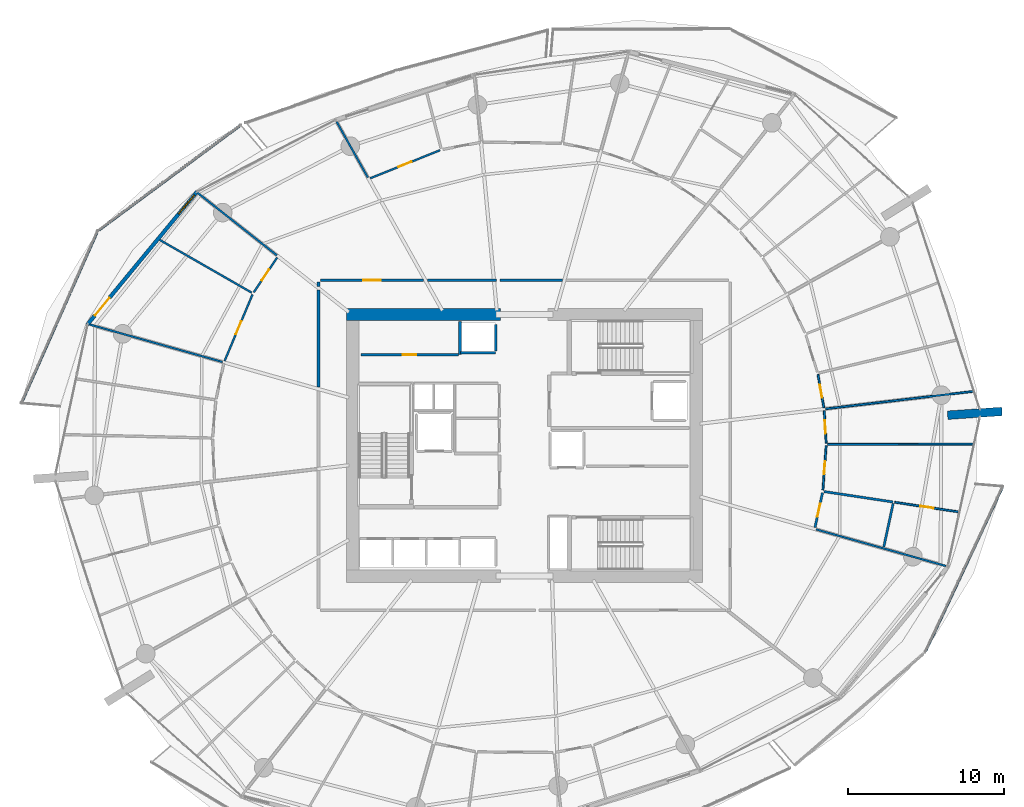
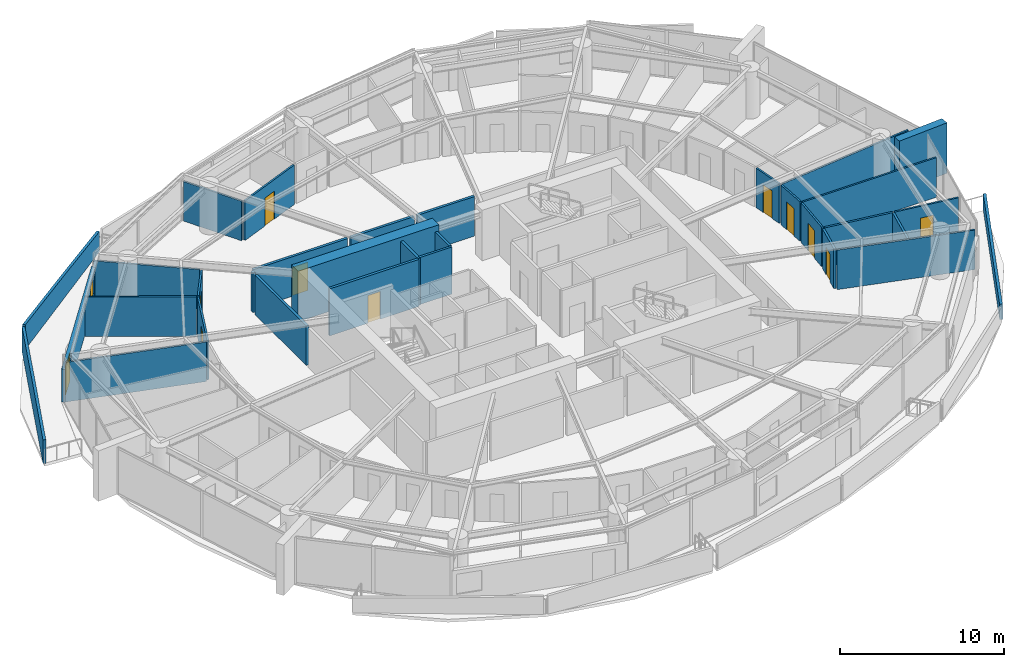
# One storey, part 14 of 23: 32 walls, 11 doors, 1 window, 12 openings.
"""IFC4 building model written with IfcOpenShell, lengths in metres."""

from ifc_helpers import new_model, si_unit, direction, frame, frame_2d, origin, place, context, subcontext, project, spatial, polyline, rectangle, outline, extrude, material, layer, layer_set, type_object, element, fill, save


model = new_model("IFC4")

# Units and contexts
model_context = context("Model", 3, precision=1e-05, world=origin(), true_north=direction((0.0, 1.0)))
body_context = subcontext(model_context, "Body", "Model", "MODEL_VIEW")
ifc_project = project(units=[si_unit("LENGTHUNIT", "METRE"), si_unit("AREAUNIT", "SQUARE_METRE"), si_unit("VOLUMEUNIT", "CUBIC_METRE"), si_unit("PLANEANGLEUNIT", "RADIAN"), si_unit("MASSUNIT", "GRAM", prefix="KILO")], contexts=[model_context])

# Site, building, storey
site_placement = place(None, origin())
site = spatial("IfcSite", under=ifc_project, at=site_placement, CompositionType="ELEMENT")
building_placement = place(site_placement, origin())
building = spatial("IfcBuilding", under=site, at=building_placement, Name="Kazma Halo Residences", CompositionType="ELEMENT")
storey_placement = place(building_placement, frame((0.0, 0.0, 105.14990234375)))
storey = spatial("IfcBuildingStorey", under=building, at=storey_placement, Name="L26", CompositionType="ELEMENT", Elevation=105.14990234375)

# Walls
ifc_material_1 = material(Name="White Concrete C50/60 Balustrade", Category="concrete")
ifc_layer_1 = layer(ifc_material_1, 0.179931640625)
ifc_layer_set_1 = layer_set([ifc_layer_1], Name="White Concrete C50/60 Balustrade")
wall_type_1 = type_object("IfcWallType", Name="WL-BAL-WAVE-180", PredefinedType="PARAPET", material=ifc_layer_set_1)
wall_1_placement = place(storey_placement, frame((30.2080078125, 62.575927734375, 0.0), z_axis=(0.0, 0.0, 1.0), x_axis=(-0.803659411402, -0.59508953147, 0.0)))
element("IfcWall", 1, at=wall_1_placement, inside=storey, type_object=wall_type_1, Name="L26 white wave balustrade wall NW.1", PredefinedType="PARAPET", context=body_context, shape_type="SweptSolid", body=[
    extrude(outline(polyline([(0.0, 0.0), (11.337890625, 0.0), (11.337890625, 1.83203125), (5.6689453125, 1.696044921875), (0.0, 1.4970703125), (0.0, 0.0)])), frame((0.0, 0.08984375, 0.0), z_axis=(0.0, -1.0, 0.0), x_axis=(1.0, 0.0, 0.0)), (0.0, 0.0, 1.0), 0.179931640625),
])
wall_2_placement = place(storey_placement, frame((20.951171875, 55.647705078125, 0.0), z_axis=(0.0, 0.0, 1.0), x_axis=(-0.404780674035, -0.914413804537, 0.0)))
element("IfcWall", 2, at=wall_2_placement, inside=storey, type_object=wall_type_1, Name="L26 white wave balustrade wall NW.2", PredefinedType="PARAPET", context=body_context, shape_type="SweptSolid", body=[
    extrude(outline(polyline([(0.0, 0.0), (11.9658203125, 0.0), (11.9658203125, 1.756103515625), (5.98291015625, 1.85302734375), (0.0, 1.83203125), (0.0, 0.0)])), frame((0.0, 0.08984375, 0.0), z_axis=(0.0, -1.0, 0.0), x_axis=(1.0, 0.0, 0.0)), (0.0, 0.0, 1.0), 0.179931640625),
])
wall_3_placement = place(storey_placement, frame((74.195068359375, 28.78759765625, 0.0), z_axis=(0.0, 0.0, 1.0), x_axis=(0.424200741769, 0.905568181134, 0.0)))
element("IfcWall", 3, at=wall_3_placement, inside=storey, type_object=wall_type_1, Name="L26 white wave balustrade wall SE.2", PredefinedType="PARAPET", context=body_context, shape_type="SweptSolid", body=[
    extrude(outline(polyline([(0.0, 0.0), (11.671875, 0.0), (11.671875, 1.22412109375), (5.8359375, 1.127197265625), (0.0, 1.148193359375), (0.0, 0.0)])), frame((0.0, 0.08984375, 0.0), z_axis=(0.0, -1.0, 0.0), x_axis=(1.0, 0.0, 0.0)), (0.0, 0.0, 1.0), 0.179931640625),
])
ifc_material_2 = material(Name="Pale Concrete C60/75", Category="concrete")
ifc_layer_2 = layer(ifc_material_2, 0.550048828125)
ifc_layer_set_2 = layer_set([ifc_layer_2], Name="Pale Concrete C60/75")
wall_type_2 = type_object("IfcWallType", Name="WL-BLADE-550", PredefinedType="SOLIDWALL", material=ifc_layer_set_2)
wall_4_placement = place(storey_placement, frame((75.606201171875, 43.930419921875, 0.0), z_axis=(0.0, 0.0, 1.0), x_axis=(0.997564163539, 0.069754853754, 0.0)))
element("IfcWall", 4, at=wall_4_placement, inside=storey, type_object=wall_type_2, Name="L26 pale concrete structural blade fin wall BW-04", PredefinedType="SOLIDWALL", context=body_context, shape_type="SweptSolid", body=[
    extrude(rectangle(XDim=3.5, YDim=0.550048828125, at=frame_2d((1.75, 0.0))), origin(), (0.0, 0.0, 1.0), 3.75),
])
ifc_material_3 = material(Name="Concrete C80/95", Category="concrete")
ifc_layer_3 = layer(ifc_material_3, 0.800048828125)
ifc_layer_set_3 = layer_set([ifc_layer_3], Name="Concrete C80/95")
wall_type_3 = type_object("IfcWallType", Name="WL-CORE-800", PredefinedType="SHEAR", material=ifc_layer_set_3)
wall_5_placement = place(storey_placement, frame((37.0, 50.39990234375, 0.0), z_axis=(0.0, 0.0, 1.0), x_axis=(1.0, 0.0, 0.0)))
element("IfcWall", 5, at=wall_5_placement, inside=storey, type_object=wall_type_3, Name="L26 central core shear wall NW", PredefinedType="SHEAR", context=body_context, shape_type="SweptSolid", body=[
    extrude(rectangle(XDim=9.89990234375, YDim=0.800048828125, at=frame_2d((4.949951171875, 0.0))), origin(), (0.0, 0.0, 1.0), 3.75),
])

# Wall, opening, door
ifc_material_4 = material(Name="Acoustic Twin-Stud Gypsum")
ifc_layer_4 = layer(ifc_material_4, 0.179931640625)
ifc_layer_set_4 = layer_set([ifc_layer_4], Name="Acoustic Twin-Stud Gypsum")
wall_type_4 = type_object("IfcWallType", Name="WL-DEM-180", PredefinedType="PARTITIONING", material=ifc_layer_set_4)
wall_6_placement = place(storey_placement, frame((41.943603515625, 52.60009765625, 0.0), z_axis=(0.0, 0.0, 1.0), x_axis=(-1.0, 0.0, 0.0)))
wall_6 = element("IfcWall", 6, at=wall_6_placement, inside=storey, type_object=wall_type_4, Name="L26 Apartment 1 entrance corridor wall", PredefinedType="PARTITIONING", context=body_context, shape_type="SweptSolid", body=[
    extrude(rectangle(XDim=6.62353515625, YDim=0.179931640625, at=frame_2d((3.311767578125, 0.0))), origin(), (0.0, 0.0, 1.0), 2.940185546875),
])
opening_1_placement = place(wall_6_placement, frame((2.76171875, 0.0, 0.0)))
opening_1 = element("IfcOpeningElement", 7, at=opening_1_placement, cuts=wall_6, Name="Opening DA-1100", PredefinedType="OPENING", context=body_context, shape_type="SweptSolid", body=[
    extrude(rectangle(XDim=1.10009765625, YDim=2.10009765625, at=frame_2d((0.550048828125, 1.050048828125))), frame((0.0, 0.099853515625, 0.0), z_axis=(0.0, -1.0, 0.0), x_axis=(1.0, 0.0, 0.0)), (0.0, 0.0, 1.0), 0.199951171875),
])
ifc_material_5 = material(Name="Acoustic Walnut Fire Leaf")
door_type_1 = type_object("IfcDoorType", Name="DR-FD60-1100", OperationType="NOTDEFINED", PredefinedType="DOOR", material=ifc_material_5)
door_1_placement = place(opening_1_placement, origin())
door_1 = element("IfcDoor", 8, at=door_1_placement, inside=storey, type_object=door_type_1, Name="L26 Apartment 1 entrance fire door", OperationType="SINGLE_SWING_RIGHT", OverallHeight=2.10009765625, OverallWidth=1.10009765625, PredefinedType="DOOR", context=body_context, shape_type="SweptSolid", body=[
    extrude(rectangle(XDim=1.10009765625, YDim=2.10009765625, at=frame_2d((0.550048828125, 1.050048828125))), frame((0.0, 0.02490234375, 0.0), z_axis=(0.0, -1.0, 0.0), x_axis=(1.0, 0.0, 0.0)), (0.0, 0.0, 1.0), 0.050048828125),
])
fill(opening_1, door_1)

# Walls
wall_7_placement = place(storey_placement, frame((35.199951171875, 52.47998046875, 0.0), z_axis=(0.0, 0.0, 1.0), x_axis=(0.0, -1.0, 0.0)))
element("IfcWall", 9, at=wall_7_placement, inside=storey, type_object=wall_type_4, Name="L26 Apartment 1 entrance corridor wall", PredefinedType="PARTITIONING", context=body_context, shape_type="SweptSolid", body=[
    extrude(rectangle(XDim=0.269287109375, YDim=0.179931640625, at=frame_2d((0.134765625, 0.0))), origin(), (0.0, 0.0, 1.0), 2.940185546875),
])
wall_8_placement = place(storey_placement, frame((50.869384765625, 52.60009765625, 0.0), z_axis=(0.0, 0.0, 1.0), x_axis=(-1.0, 0.0, 0.0)))
element("IfcWall", 10, at=wall_8_placement, inside=storey, type_object=wall_type_4, Name="L26 Apartment 1 inner wall 2", PredefinedType="PARTITIONING", context=body_context, shape_type="SweptSolid", body=[
    extrude(rectangle(XDim=4.00390625, YDim=0.179931640625, at=frame_2d((2.001953125, 0.0))), origin(), (0.0, 0.0, 1.0), 2.940185546875),
])
wall_9_placement = place(storey_placement, frame((46.62548828125, 52.60009765625, 0.0), z_axis=(0.0, 0.0, 1.0), x_axis=(-1.0, 0.0, 0.0)))
element("IfcWall", 11, at=wall_9_placement, inside=storey, type_object=wall_type_4, Name="L26 Apartment 1 inner wall 3", PredefinedType="PARTITIONING", context=body_context, shape_type="SweptSolid", body=[
    extrude(rectangle(XDim=4.44189453125, YDim=0.179931640625, at=frame_2d((2.220947265625, 0.0))), origin(), (0.0, 0.0, 1.0), 2.940185546875),
])
wall_10_placement = place(storey_placement, frame((35.199951171875, 51.970703125, 0.0), z_axis=(0.0, 0.0, 1.0), x_axis=(0.0, -1.0, 0.0)))
element("IfcWall", 12, at=wall_10_placement, inside=storey, type_object=wall_type_4, Name="L26 Apartment 1 inner wall 5", PredefinedType="PARTITIONING", context=body_context, shape_type="SweptSolid", body=[
    extrude(rectangle(XDim=6.24072265625, YDim=0.179931640625, at=frame_2d((3.120361328125, 0.0))), origin(), (0.0, 0.0, 1.0), 2.940185546875),
])

# Wall, openings, door, window
ifc_material_6 = material(Name="Insulated Pale-Metal Composite Wall")
ifc_layer_5 = layer(ifc_material_6, 0.239990234375)
ifc_layer_set_5 = layer_set([ifc_layer_5], Name="Insulated Pale-Metal Composite Wall")
wall_type_5 = type_object("IfcWallType", Name="WL-EXT-HOST-240", PredefinedType="SOLIDWALL", material=ifc_layer_set_5)
wall_11_placement = place(storey_placement, frame((27.406982421875, 58.2978515625, 0.0), z_axis=(0.0, 0.0, 1.0), x_axis=(-0.636704975, -0.771107498868, 0.0)))
wall_11 = element("IfcWall", 13, at=wall_11_placement, inside=storey, type_object=wall_type_5, Name="L26 exterior terrace-access wall B06", PredefinedType="SOLIDWALL", context=body_context, shape_type="SweptSolid", body=[
    extrude(rectangle(XDim=11.084228515625, YDim=0.239990234375, at=frame_2d((5.5419921875, 0.0))), origin(), (0.0, 0.0, 1.0), 2.4501953125),
])
opening_2_placement = place(wall_11_placement, frame((8.8642578125, 0.0, 0.0)))
opening_2 = element("IfcOpeningElement", 14, at=opening_2_placement, cuts=wall_11, Name="Opening DTR-1600", PredefinedType="OPENING", context=body_context, shape_type="SweptSolid", body=[
    extrude(rectangle(XDim=1.449951171875, YDim=2.14990234375, at=frame_2d((0.72509765625, 1.074951171875))), frame((0.0, 0.1298828125, 0.0), z_axis=(0.0, -1.0, 0.0), x_axis=(1.0, 0.0, 0.0)), (0.0, 0.0, 1.0), 0.260009765625),
])
opening_3_placement = place(wall_11_placement, frame((0.280029296875, 0.0, 0.64990234375)))
opening_3 = element("IfcOpeningElement", 15, at=opening_3_placement, cuts=wall_11, Name="Opening W-1800", PredefinedType="OPENING", context=body_context, shape_type="SweptSolid", body=[
    extrude(rectangle(XDim=1.60009765625, YDim=1.5, at=frame_2d((0.800048828125, 0.75))), frame((0.0, 0.1298828125, 0.0), z_axis=(0.0, -1.0, 0.0), x_axis=(1.0, 0.0, 0.0)), (0.0, 0.0, 1.0), 0.260009765625),
])
ifc_material_7 = material(Name="Aluminium AW-6063 T6 Double-Glazed Terrace Door", Category="aluminium")
door_type_2 = type_object("IfcDoorType", Name="DR-EXT-TERR-1600", OperationType="NOTDEFINED", PredefinedType="DOOR", material=ifc_material_7)
door_2_placement = place(opening_2_placement, origin())
door_2 = element("IfcDoor", 16, at=door_2_placement, inside=storey, type_object=door_type_2, Name="L26 B06 balcony terrace door", OperationType="DOUBLE_DOOR_SLIDING", OverallHeight=2.14990234375, OverallWidth=1.449951171875, PredefinedType="DOOR", context=body_context, shape_type="SweptSolid", body=[
    extrude(rectangle(XDim=1.449951171875, YDim=2.14990234375, at=frame_2d((0.72509765625, 1.074951171875))), frame((0.0, 0.02490234375, 0.0), z_axis=(0.0, -1.0, 0.0), x_axis=(1.0, 0.0, 0.0)), (0.0, 0.0, 1.0), 0.050048828125),
])
fill(opening_2, door_2)
ifc_material_8 = material(Name="Clear Triple-Silver Low-E Glass in Aluminium AW-6063 T6 Frame", Category="aluminium")
window_type = type_object("IfcWindowType", Name="WIN-RES-1800", PartitioningType="DOUBLE_PANEL_VERTICAL", PredefinedType="WINDOW", material=ifc_material_8)
window_placement = place(opening_3_placement, origin())
window = element("IfcWindow", 17, at=window_placement, inside=storey, type_object=window_type, Name="L26 B06 apartment window", OverallHeight=1.5, OverallWidth=1.60009765625, PartitioningType="SINGLE_PANEL", PredefinedType="WINDOW", context=body_context, shape_type="SweptSolid", body=[
    extrude(rectangle(XDim=1.60009765625, YDim=1.5, at=frame_2d((0.800048828125, 0.75))), frame((0.0, 0.030029296875, 0.0), z_axis=(0.0, -1.0, 0.0), x_axis=(1.0, 0.0, 0.0)), (0.0, 0.0, 1.0), 0.06005859375),
])
fill(opening_3, window)

# Walls
ifc_material_9 = material(Name="Fire-Rated Blockwork Masonry", Category="masonry")
ifc_layer_6 = layer(ifc_material_9, 0.199951171875)
ifc_layer_set_6 = layer_set([ifc_layer_6], Name="Fire-Rated Blockwork Masonry")
wall_type_6 = type_object("IfcWallType", Name="WL-FLB-200", PredefinedType="PARTITIONING", material=ifc_layer_set_6)
wall_12_placement = place(storey_placement, frame((46.580078125, 47.945068359375, 0.0), z_axis=(0.0, 0.0, 1.0), x_axis=(-1.0, 0.0, 0.0)))
element("IfcWall", 18, at=wall_12_placement, inside=storey, type_object=wall_type_6, Name="L26 lift shaft PX-01 front wall", PredefinedType="PARTITIONING", context=body_context, shape_type="SweptSolid", body=[
    extrude(rectangle(XDim=2.260009765625, YDim=0.159912109375, at=frame_2d((1.1298828125, 0.0))), origin(), (0.0, 0.0, 1.0), 3.5),
])
wall_13_placement = place(storey_placement, frame((46.580078125, 48.044921875, 0.0), z_axis=(0.0, 0.0, 1.0), x_axis=(0.0, 1.0, 0.0)))
element("IfcWall", 19, at=wall_13_placement, inside=storey, type_object=wall_type_6, Name="L26 lift shaft PX-01 side wall E", PredefinedType="PARTITIONING", context=body_context, shape_type="SweptSolid", body=[
    extrude(rectangle(XDim=1.7099609375, YDim=0.159912109375, at=frame_2d((0.85498046875, 0.0))), origin(), (0.0, 0.0, 1.0), 3.5),
])

# Wall, opening, door
wall_14_placement = place(storey_placement, frame((37.919921875, 47.820068359375, 0.0), z_axis=(0.0, 0.0, 1.0), x_axis=(1.0, 0.0, 0.0)))
wall_14 = element("IfcWall", 20, at=wall_14_placement, inside=storey, type_object=wall_type_6, Name="L26 core north reserve wall", PredefinedType="PARTITIONING", context=body_context, shape_type="SweptSolid", body=[
    extrude(rectangle(XDim=6.260009765625, YDim=0.179931640625, at=frame_2d((3.1298828125, 0.0))), origin(), (0.0, 0.0, 1.0), 3.5),
])
opening_4_placement = place(wall_14_placement, frame((2.705078125, 0.0, 0.0)))
opening_4 = element("IfcOpeningElement", 21, at=opening_4_placement, cuts=wall_14, Name="Opening DS-850", PredefinedType="OPENING", context=body_context, shape_type="SweptSolid", body=[
    extrude(rectangle(XDim=0.85009765625, YDim=2.06005859375, at=frame_2d((0.425048828125, 1.030029296875))), frame((0.0, 0.099853515625, 0.0), z_axis=(0.0, -1.0, 0.0), x_axis=(1.0, 0.0, 0.0)), (0.0, 0.0, 1.0), 0.199951171875),
])
ifc_material_10 = material(Name="Painted Steel Access Leaf", Category="steel")
door_type_3 = type_object("IfcDoorType", Name="DR-SVC-850", OperationType="NOTDEFINED", PredefinedType="DOOR", material=ifc_material_10)
door_3_placement = place(opening_4_placement, origin())
door_3 = element("IfcDoor", 22, at=door_3_placement, inside=storey, type_object=door_type_3, Name="L26 core north reserve door", OperationType="SINGLE_SWING_RIGHT", OverallHeight=2.06005859375, OverallWidth=0.85009765625, PredefinedType="DOOR", context=body_context, shape_type="SweptSolid", body=[
    extrude(rectangle(XDim=0.85009765625, YDim=2.06005859375, at=frame_2d((0.425048828125, 1.030029296875))), frame((0.0, 0.02490234375, 0.0), z_axis=(0.0, -1.0, 0.0), x_axis=(1.0, 0.0, 0.0)), (0.0, 0.0, 1.0), 0.050048828125),
])
fill(opening_4, door_3)

# Walls
wall_15_placement = place(storey_placement, frame((44.280029296875, 47.820068359375, 0.0), z_axis=(0.0, 0.0, 1.0), x_axis=(0.0, 1.0, 0.0)))
element("IfcWall", 23, at=wall_15_placement, inside=storey, type_object=wall_type_6, Name="L26 PX-01 hoistway west wall", PredefinedType="PARTITIONING", context=body_context, shape_type="SweptSolid", body=[
    extrude(rectangle(XDim=2.1298828125, YDim=0.179931640625, at=frame_2d((1.06494140625, 0.0))), origin(), (0.0, 0.0, 1.0), 3.5),
])
ifc_material_11 = material(Name="Gypsum Plasterboard Partition")
ifc_layer_7 = layer(ifc_material_11, 0.125)
ifc_layer_set_7 = layer_set([ifc_layer_7], Name="Gypsum Plasterboard Partition")
wall_type_7 = type_object("IfcWallType", Name="WL-PART-125", PredefinedType="PARTITIONING", material=ifc_layer_set_7)
wall_16_placement = place(storey_placement, frame((38.36962890625, 59.196044921875, 0.0), z_axis=(0.0, 0.0, 1.0), x_axis=(-0.488603368932, 0.87250601595, 0.0)))
element("IfcWall", 24, at=wall_16_placement, inside=storey, type_object=wall_type_7, Name="L26 Apartment 1 living radial partition 3", PredefinedType="PARTITIONING", context=body_context, shape_type="SweptSolid", body=[
    extrude(rectangle(XDim=4.11328125, YDim=0.125, at=frame_2d((2.056640625, 0.0))), origin(), (0.0, 0.0, 1.0), 2.940185546875),
])

# Wall, opening, door
wall_17_placement = place(storey_placement, frame((43.010009765625, 60.951904296875, 0.0), z_axis=(0.0, 0.0, 1.0), x_axis=(-0.9280140097, -0.372545296307, 0.0)))
wall_17 = element("IfcWall", 25, at=wall_17_placement, inside=storey, type_object=wall_type_7, Name="L26 Apartment 1 South Master Bedroom hall wall", PredefinedType="PARTITIONING", context=body_context, shape_type="SweptSolid", body=[
    extrude(rectangle(XDim=4.847412109375, YDim=0.125, at=frame_2d((2.423828125, 0.0))), origin(), (0.0, 0.0, 1.0), 2.940185546875),
])
opening_5_placement = place(wall_17_placement, frame((1.973876953125, 0.0, 0.0)))
opening_5 = element("IfcOpeningElement", 26, at=opening_5_placement, cuts=wall_17, Name="Opening DI-950", PredefinedType="OPENING", context=body_context, shape_type="SweptSolid", body=[
    extrude(rectangle(XDim=0.89990234375, YDim=2.080078125, at=frame_2d((0.449951171875, 1.0400390625))), frame((0.0, 0.072509765625, 0.0), z_axis=(0.0, -1.0, 0.0), x_axis=(1.0, 0.0, 0.0)), (0.0, 0.0, 1.0), 0.14501953125),
])
ifc_material_12 = material(Name="Timber Veneer Flush Leaf", Category="wood")
door_type_4 = type_object("IfcDoorType", Name="DR-INT-950", OperationType="NOTDEFINED", PredefinedType="DOOR", material=ifc_material_12)
door_4_placement = place(opening_5_placement, origin())
door_4 = element("IfcDoor", 27, at=door_4_placement, inside=storey, type_object=door_type_4, Name="L26 Apartment 1 South Master Bedroom door", OperationType="SINGLE_SWING_RIGHT", OverallHeight=2.080078125, OverallWidth=0.89990234375, PredefinedType="DOOR", context=body_context, shape_type="SweptSolid", body=[
    extrude(rectangle(XDim=0.89990234375, YDim=2.080078125, at=frame_2d((0.449951171875, 1.0400390625))), frame((0.0, 0.02490234375, 0.0), z_axis=(0.0, -1.0, 0.0), x_axis=(1.0, 0.0, 0.0)), (0.0, 0.0, 1.0), 0.050048828125),
])
fill(opening_5, door_4)

# Walls
wall_18_placement = place(storey_placement, frame((32.522216796875, 54.20166015625, 0.0), z_axis=(0.0, 0.0, 1.0), x_axis=(-0.785296086335, 0.619120389574, 0.0)))
element("IfcWall", 28, at=wall_18_placement, inside=storey, type_object=wall_type_7, Name="L26 Apartment 1 radial partition 5", PredefinedType="PARTITIONING", context=body_context, shape_type="SweptSolid", body=[
    extrude(rectangle(XDim=6.529052734375, YDim=0.125, at=frame_2d((3.2646484375, 0.0))), origin(), (0.0, 0.0, 1.0), 2.940185546875),
])
wall_19_placement = place(storey_placement, frame((30.911865234375, 51.80029296875, 0.0), z_axis=(0.0, 0.0, 1.0), x_axis=(-0.867452705788, 0.497519651091, 0.0)))
element("IfcWall", 29, at=wall_19_placement, inside=storey, type_object=wall_type_7, Name="L26 Apartment 1 mid-bay wall 5", PredefinedType="PARTITIONING", context=body_context, shape_type="SweptSolid", body=[
    extrude(rectangle(XDim=6.81396484375, YDim=0.125, at=frame_2d((3.406982421875, 0.0))), origin(), (0.0, 0.0, 1.0), 2.940185546875),
])

# Wall, opening, door
wall_20_placement = place(storey_placement, frame((32.544677734375, 54.056884765625, 0.0), z_axis=(0.0, 0.0, 1.0), x_axis=(-0.559849013212, -0.828594642998, 0.0)))
wall_20 = element("IfcWall", 30, at=wall_20_placement, inside=storey, type_object=wall_type_7, Name="L26 Apartment 1 Inner Bedroom hall wall", PredefinedType="PARTITIONING", context=body_context, shape_type="SweptSolid", body=[
    extrude(rectangle(XDim=2.697265625, YDim=0.125, at=frame_2d((1.3486328125, 0.0))), origin(), (0.0, 0.0, 1.0), 2.940185546875),
])
opening_6_placement = place(wall_20_placement, frame((0.923583984375, 0.0, 0.0)))
opening_6 = element("IfcOpeningElement", 31, at=opening_6_placement, cuts=wall_20, Name="Opening DB-900", PredefinedType="OPENING", context=body_context, shape_type="SweptSolid", body=[
    extrude(rectangle(XDim=0.85009765625, YDim=2.06005859375, at=frame_2d((0.425048828125, 1.030029296875))), frame((0.0, 0.072509765625, 0.0), z_axis=(0.0, -1.0, 0.0), x_axis=(1.0, 0.0, 0.0)), (0.0, 0.0, 1.0), 0.14501953125),
])
ifc_material_13 = material(Name="Moisture-Sealed Timber Leaf", Category="wood")
door_type_5 = type_object("IfcDoorType", Name="DR-BTH-900", OperationType="NOTDEFINED", PredefinedType="DOOR", material=ifc_material_13)
door_5_placement = place(opening_6_placement, origin())
door_5 = element("IfcDoor", 32, at=door_5_placement, inside=storey, type_object=door_type_5, Name="L26 Apartment 1 Inner Bedroom door", OperationType="SINGLE_SWING_RIGHT", OverallHeight=2.06005859375, OverallWidth=0.85009765625, PredefinedType="DOOR", context=body_context, shape_type="SweptSolid", body=[
    extrude(rectangle(XDim=0.85009765625, YDim=2.06005859375, at=frame_2d((0.425048828125, 1.030029296875))), frame((0.0, 0.02490234375, 0.0), z_axis=(0.0, -1.0, 0.0), x_axis=(1.0, 0.0, 0.0)), (0.0, 0.0, 1.0), 0.050048828125),
])
fill(opening_6, door_5)

wall_21_placement = place(storey_placement, frame((30.958984375, 51.681884765625, 0.0), z_axis=(0.0, 0.0, 1.0), x_axis=(-0.387377754923, -0.921921078505, 0.0)))
wall_21 = element("IfcWall", 33, at=wall_21_placement, inside=storey, type_object=wall_type_7, Name="L26 Apartment 1 Outer Master Bedroom hall wall", PredefinedType="PARTITIONING", context=body_context, shape_type="SweptSolid", body=[
    extrude(rectangle(XDim=4.62841796875, YDim=0.125, at=frame_2d((2.314208984375, 0.0))), origin(), (0.0, 0.0, 1.0), 2.940185546875),
])
opening_7_placement = place(wall_21_placement, frame((1.8642578125, 0.0, 0.0)))
opening_7 = element("IfcOpeningElement", 34, at=opening_7_placement, cuts=wall_21, Name="Opening DI-950", PredefinedType="OPENING", context=body_context, shape_type="SweptSolid", body=[
    extrude(rectangle(XDim=0.89990234375, YDim=2.080078125, at=frame_2d((0.449951171875, 1.0400390625))), frame((0.0, 0.072509765625, 0.0), z_axis=(0.0, -1.0, 0.0), x_axis=(1.0, 0.0, 0.0)), (0.0, 0.0, 1.0), 0.14501953125),
])
door_6_placement = place(opening_7_placement, origin())
door_6 = element("IfcDoor", 35, at=door_6_placement, inside=storey, type_object=door_type_4, Name="L26 Apartment 1 Outer Master Bedroom door", OperationType="SINGLE_SWING_LEFT", OverallHeight=2.080078125, OverallWidth=0.89990234375, PredefinedType="DOOR", context=body_context, shape_type="SweptSolid", body=[
    extrude(rectangle(XDim=0.89990234375, YDim=2.080078125, at=frame_2d((0.449951171875, 1.0400390625))), frame((0.0, 0.02490234375, 0.0), z_axis=(0.0, -1.0, 0.0), x_axis=(1.0, 0.0, 0.0)), (0.0, 0.0, 1.0), 0.050048828125),
])
fill(opening_7, door_6)

# Walls
wall_22_placement = place(storey_placement, frame((29.031005859375, 47.349853515625, 0.0), z_axis=(0.0, 0.0, 1.0), x_axis=(-0.962455027906, 0.271441189317, 0.0)))
element("IfcWall", 36, at=wall_22_placement, inside=storey, type_object=wall_type_7, Name="L26 Apartment 1 radial partition 6", PredefinedType="PARTITIONING", context=body_context, shape_type="SweptSolid", body=[
    extrude(rectangle(XDim=8.862060546875, YDim=0.125, at=frame_2d((4.43115234375, 0.0))), origin(), (0.0, 0.0, 1.0), 2.940185546875),
])
wall_23_placement = place(storey_placement, frame((67.164306640625, 36.59521484375, 0.0), z_axis=(0.0, 0.0, 1.0), x_axis=(0.962450431501, -0.271457486363, 0.0)))
element("IfcWall", 37, at=wall_23_placement, inside=storey, type_object=wall_type_7, Name="L26 Apartment 3 radial partition 14", PredefinedType="PARTITIONING", context=body_context, shape_type="SweptSolid", body=[
    extrude(rectangle(XDim=8.6591796875, YDim=0.125, at=frame_2d((4.32958984375, 0.0))), origin(), (0.0, 0.0, 1.0), 2.940185546875),
])

# Wall, opening, door
wall_24_placement = place(storey_placement, frame((72.217041015625, 38.339599609375, 0.0), z_axis=(0.0, 0.0, 1.0), x_axis=(0.988773178852, -0.149424230908, 0.0)))
wall_24 = element("IfcWall", 38, at=wall_24_placement, inside=storey, type_object=wall_type_7, Name="L26 Apartment 3 Household Store Room partition wall", PredefinedType="PARTITIONING", context=body_context, shape_type="SweptSolid", body=[
    extrude(rectangle(XDim=4.174560546875, YDim=0.125, at=frame_2d((2.08740234375, 0.0))), origin(), (0.0, 0.0, 1.0), 2.940185546875),
])
opening_8_placement = place(wall_24_placement, frame((1.662353515625, 0.0, 0.0)))
opening_8 = element("IfcOpeningElement", 39, at=opening_8_placement, cuts=wall_24, Name="Opening DB-900", PredefinedType="OPENING", context=body_context, shape_type="SweptSolid", body=[
    extrude(rectangle(XDim=0.85009765625, YDim=2.06005859375, at=frame_2d((0.425048828125, 1.030029296875))), frame((0.0, 0.072509765625, 0.0), z_axis=(0.0, -1.0, 0.0), x_axis=(1.0, 0.0, 0.0)), (0.0, 0.0, 1.0), 0.14501953125),
])
door_7_placement = place(opening_8_placement, origin())
door_7 = element("IfcDoor", 40, at=door_7_placement, inside=storey, type_object=door_type_5, Name="L26 Apartment 3 Household Store Room door", OperationType="SINGLE_SWING_RIGHT", OverallHeight=2.06005859375, OverallWidth=0.85009765625, PredefinedType="DOOR", context=body_context, shape_type="SweptSolid", body=[
    extrude(rectangle(XDim=0.85009765625, YDim=2.06005859375, at=frame_2d((0.425048828125, 1.030029296875))), frame((0.0, 0.02490234375, 0.0), z_axis=(0.0, -1.0, 0.0), x_axis=(1.0, 0.0, 0.0)), (0.0, 0.0, 1.0), 0.050048828125),
])
fill(opening_8, door_7)

# Wall
wall_25_placement = place(storey_placement, frame((67.90185546875, 42.052490234375, 0.0), z_axis=(0.0, 0.0, 1.0), x_axis=(0.999996474941, 0.002655203448, 0.0)))
element("IfcWall", 41, at=wall_25_placement, inside=storey, type_object=wall_type_7, Name="L26 Apartment 3 suite divider 14", PredefinedType="PARTITIONING", context=body_context, shape_type="SweptSolid", body=[
    extrude(rectangle(XDim=9.378662109375, YDim=0.125, at=frame_2d((4.689453125, 0.0))), origin(), (0.0, 0.0, 1.0), 2.940185546875),
])

# Wall, opening, door
wall_26_placement = place(storey_placement, frame((67.59619140625, 39.12890625, 0.0), z_axis=(0.0, 0.0, 1.0), x_axis=(0.073546842806, 0.997291763685, 0.0)))
wall_26 = element("IfcWall", 42, at=wall_26_placement, inside=storey, type_object=wall_type_7, Name="L26 Apartment 3 Gourmet Kitchen hall wall", PredefinedType="PARTITIONING", context=body_context, shape_type="SweptSolid", body=[
    extrude(rectangle(XDim=2.8515625, YDim=0.125, at=frame_2d((1.42578125, 0.0))), origin(), (0.0, 0.0, 1.0), 2.940185546875),
])
opening_9_placement = place(wall_26_placement, frame((1.000732421875, 0.0, 0.0)))
opening_9 = element("IfcOpeningElement", 43, at=opening_9_placement, cuts=wall_26, Name="Opening DB-900", PredefinedType="OPENING", context=body_context, shape_type="SweptSolid", body=[
    extrude(rectangle(XDim=0.85009765625, YDim=2.06005859375, at=frame_2d((0.425048828125, 1.030029296875))), frame((0.0, 0.072509765625, 0.0), z_axis=(0.0, -1.0, 0.0), x_axis=(1.0, 0.0, 0.0)), (0.0, 0.0, 1.0), 0.14501953125),
])
door_8_placement = place(opening_9_placement, origin())
door_8 = element("IfcDoor", 44, at=door_8_placement, inside=storey, type_object=door_type_5, Name="L26 Apartment 3 Gourmet Kitchen door", OperationType="SINGLE_SWING_LEFT", OverallHeight=2.06005859375, OverallWidth=0.85009765625, PredefinedType="DOOR", context=body_context, shape_type="SweptSolid", body=[
    extrude(rectangle(XDim=0.85009765625, YDim=2.06005859375, at=frame_2d((0.425048828125, 1.030029296875))), frame((0.0, 0.02490234375, 0.0), z_axis=(0.0, -1.0, 0.0), x_axis=(1.0, 0.0, 0.0)), (0.0, 0.0, 1.0), 0.050048828125),
])
fill(opening_9, door_8)

wall_27_placement = place(storey_placement, frame((67.80712890625, 42.13232421875, 0.0), z_axis=(0.0, 0.0, 1.0), x_axis=(-0.060207300142, 0.998185895016, 0.0)))
wall_27 = element("IfcWall", 45, at=wall_27_placement, inside=storey, type_object=wall_type_7, Name="L26 Apartment 3 Primary Bedroom hall wall", PredefinedType="PARTITIONING", context=body_context, shape_type="SweptSolid", body=[
    extrude(rectangle(XDim=2.1005859375, YDim=0.125, at=frame_2d((1.05029296875, 0.0))), origin(), (0.0, 0.0, 1.0), 2.940185546875),
])
opening_10_placement = place(wall_27_placement, frame((0.625244140625, 0.0, 0.0)))
opening_10 = element("IfcOpeningElement", 46, at=opening_10_placement, cuts=wall_27, Name="Opening DB-900", PredefinedType="OPENING", context=body_context, shape_type="SweptSolid", body=[
    extrude(rectangle(XDim=0.85009765625, YDim=2.06005859375, at=frame_2d((0.425048828125, 1.030029296875))), frame((0.0, 0.072509765625, 0.0), z_axis=(0.0, -1.0, 0.0), x_axis=(1.0, 0.0, 0.0)), (0.0, 0.0, 1.0), 0.14501953125),
])
door_9_placement = place(opening_10_placement, origin())
door_9 = element("IfcDoor", 47, at=door_9_placement, inside=storey, type_object=door_type_5, Name="L26 Apartment 3 Primary Bedroom door", OperationType="SINGLE_SWING_RIGHT", OverallHeight=2.06005859375, OverallWidth=0.85009765625, PredefinedType="DOOR", context=body_context, shape_type="SweptSolid", body=[
    extrude(rectangle(XDim=0.85009765625, YDim=2.06005859375, at=frame_2d((0.425048828125, 1.030029296875))), frame((0.0, 0.02490234375, 0.0), z_axis=(0.0, -1.0, 0.0), x_axis=(1.0, 0.0, 0.0)), (0.0, 0.0, 1.0), 0.050048828125),
])
fill(opening_10, door_9)

# Wall
wall_28_placement = place(storey_placement, frame((67.77392578125, 44.340576171875, 0.0), z_axis=(0.0, 0.0, 1.0), x_axis=(0.993071471329, 0.117511926341, 0.0)))
element("IfcWall", 48, at=wall_28_placement, inside=storey, type_object=wall_type_7, Name="L26 Apartment 3 radial partition 15", PredefinedType="PARTITIONING", context=body_context, shape_type="SweptSolid", body=[
    extrude(rectangle(XDim=9.5673828125, YDim=0.125, at=frame_2d((4.78369140625, 0.0))), origin(), (0.0, 0.0, 1.0), 2.940185546875),
])

# Wall, opening, door
wall_29_placement = place(storey_placement, frame((67.66064453125, 44.407470703125, 0.0), z_axis=(0.0, 0.0, 1.0), x_axis=(-0.17575952255, 0.984433131418, 0.0)))
wall_29 = element("IfcWall", 49, at=wall_29_placement, inside=storey, type_object=wall_type_7, Name="L26 Apartment 3 Primary Bedroom hall wall", PredefinedType="PARTITIONING", context=body_context, shape_type="SweptSolid", body=[
    extrude(rectangle(XDim=2.172607421875, YDim=0.125, at=frame_2d((1.08642578125, 0.0))), origin(), (0.0, 0.0, 1.0), 2.940185546875),
])
opening_11_placement = place(wall_29_placement, frame((0.661376953125, 0.0, 0.0)))
opening_11 = element("IfcOpeningElement", 50, at=opening_11_placement, cuts=wall_29, Name="Opening DB-900", PredefinedType="OPENING", context=body_context, shape_type="SweptSolid", body=[
    extrude(rectangle(XDim=0.85009765625, YDim=2.06005859375, at=frame_2d((0.425048828125, 1.030029296875))), frame((0.0, 0.072509765625, 0.0), z_axis=(0.0, -1.0, 0.0), x_axis=(1.0, 0.0, 0.0)), (0.0, 0.0, 1.0), 0.14501953125),
])
door_10_placement = place(opening_11_placement, origin())
door_10 = element("IfcDoor", 51, at=door_10_placement, inside=storey, type_object=door_type_5, Name="L26 Apartment 3 Primary Bedroom door", OperationType="SINGLE_SWING_LEFT", OverallHeight=2.06005859375, OverallWidth=0.85009765625, PredefinedType="DOOR", context=body_context, shape_type="SweptSolid", body=[
    extrude(rectangle(XDim=0.85009765625, YDim=2.06005859375, at=frame_2d((0.425048828125, 1.030029296875))), frame((0.0, 0.02490234375, 0.0), z_axis=(0.0, -1.0, 0.0), x_axis=(1.0, 0.0, 0.0)), (0.0, 0.0, 1.0), 0.050048828125),
])
fill(opening_11, door_10)

ifc_material_14 = material(Name="Moisture-Resistant Gypsum")
ifc_layer_8 = layer(ifc_material_14, 0.14990234375)
ifc_layer_set_8 = layer_set([ifc_layer_8], Name="Moisture-Resistant Gypsum")
wall_type_8 = type_object("IfcWallType", Name="WL-WET-150", PredefinedType="PARTITIONING", material=ifc_layer_set_8)
wall_30_placement = place(storey_placement, frame((67.08935546875, 36.719970703125, 0.0), z_axis=(0.0, 0.0, 1.0), x_axis=(0.210821839733, 0.977524501939, 0.0)))
wall_30 = element("IfcWall", 52, at=wall_30_placement, inside=storey, type_object=wall_type_8, Name="L26 Apartment 3 Guest Bathroom hall wall", PredefinedType="PARTITIONING", context=body_context, shape_type="SweptSolid", body=[
    extrude(rectangle(XDim=2.282470703125, YDim=0.14990234375, at=frame_2d((1.14111328125, 0.0))), origin(), (0.0, 0.0, 1.0), 2.940185546875),
])
opening_12_placement = place(wall_30_placement, frame((0.71630859375, 0.0, 0.0)))
opening_12 = element("IfcOpeningElement", 53, at=opening_12_placement, cuts=wall_30, Name="Opening DB-900", PredefinedType="OPENING", context=body_context, shape_type="SweptSolid", body=[
    extrude(rectangle(XDim=0.85009765625, YDim=2.06005859375, at=frame_2d((0.425048828125, 1.030029296875))), frame((0.0, 0.0849609375, 0.0), z_axis=(0.0, -1.0, 0.0), x_axis=(1.0, 0.0, 0.0)), (0.0, 0.0, 1.0), 0.169921875),
])
door_11_placement = place(opening_12_placement, origin())
door_11 = element("IfcDoor", 54, at=door_11_placement, inside=storey, type_object=door_type_5, Name="L26 Apartment 3 Guest Bathroom door", OperationType="SINGLE_SWING_LEFT", OverallHeight=2.06005859375, OverallWidth=0.85009765625, PredefinedType="DOOR", context=body_context, shape_type="SweptSolid", body=[
    extrude(rectangle(XDim=0.85009765625, YDim=2.06005859375, at=frame_2d((0.425048828125, 1.030029296875))), frame((0.0, 0.02490234375, 0.0), z_axis=(0.0, -1.0, 0.0), x_axis=(1.0, 0.0, 0.0)), (0.0, 0.0, 1.0), 0.050048828125),
])
fill(opening_12, door_11)

# Walls
wall_31_placement = place(storey_placement, frame((71.5068359375, 35.47412109375, 0.0), z_axis=(0.0, 0.0, 1.0), x_axis=(0.210860301297, 0.977516206176, 0.0)))
element("IfcWall", 55, at=wall_31_placement, inside=storey, type_object=wall_type_8, Name="L26 Apartment 3 Guest Bathroom back wall", PredefinedType="PARTITIONING", context=body_context, shape_type="SweptSolid", body=[
    extrude(rectangle(XDim=2.855224609375, YDim=0.14990234375, at=frame_2d((1.427734375, 0.0))), origin(), (0.0, 0.0, 1.0), 2.940185546875),
])
wall_32_placement = place(storey_placement, frame((67.678466796875, 39.025634765625, 0.0), z_axis=(0.0, 0.0, 1.0), x_axis=(0.988770717544, -0.149440517018, 0.0)))
element("IfcWall", 56, at=wall_32_placement, inside=storey, type_object=wall_type_8, Name="L26 Apartment 3 Guest Bathroom side wall", PredefinedType="PARTITIONING", context=body_context, shape_type="SweptSolid", body=[
    extrude(rectangle(XDim=4.4599609375, YDim=0.14990234375, at=frame_2d((2.22998046875, 0.0))), origin(), (0.0, 0.0, 1.0), 2.940185546875),
])

save(model, "model.ifc")
